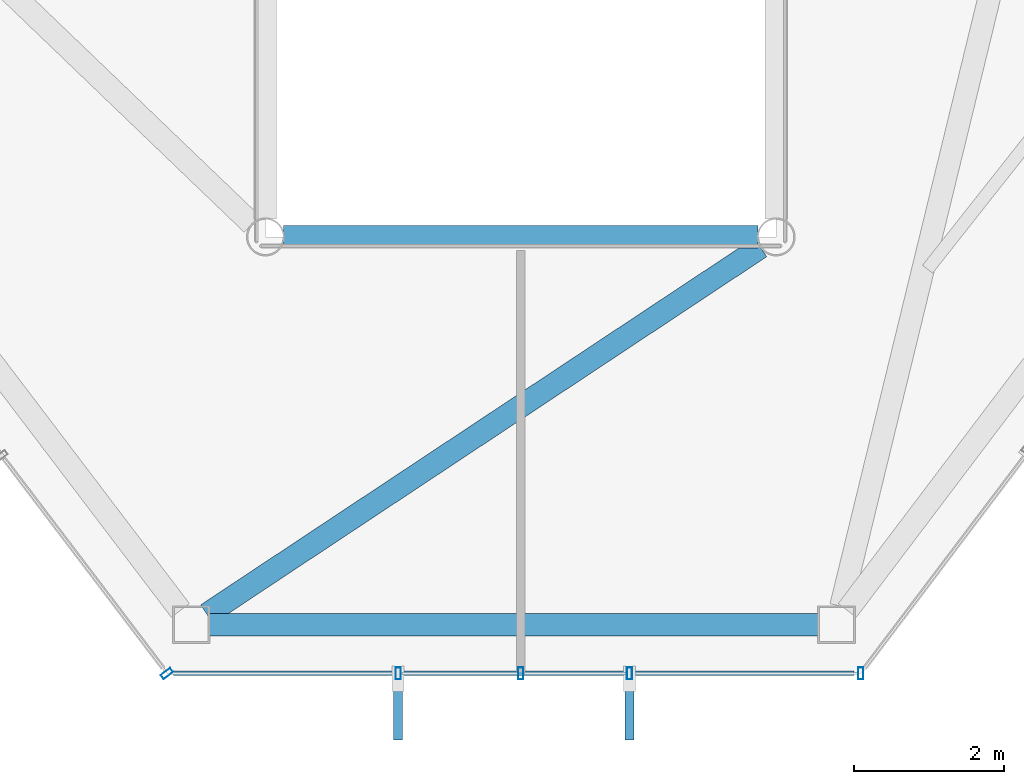
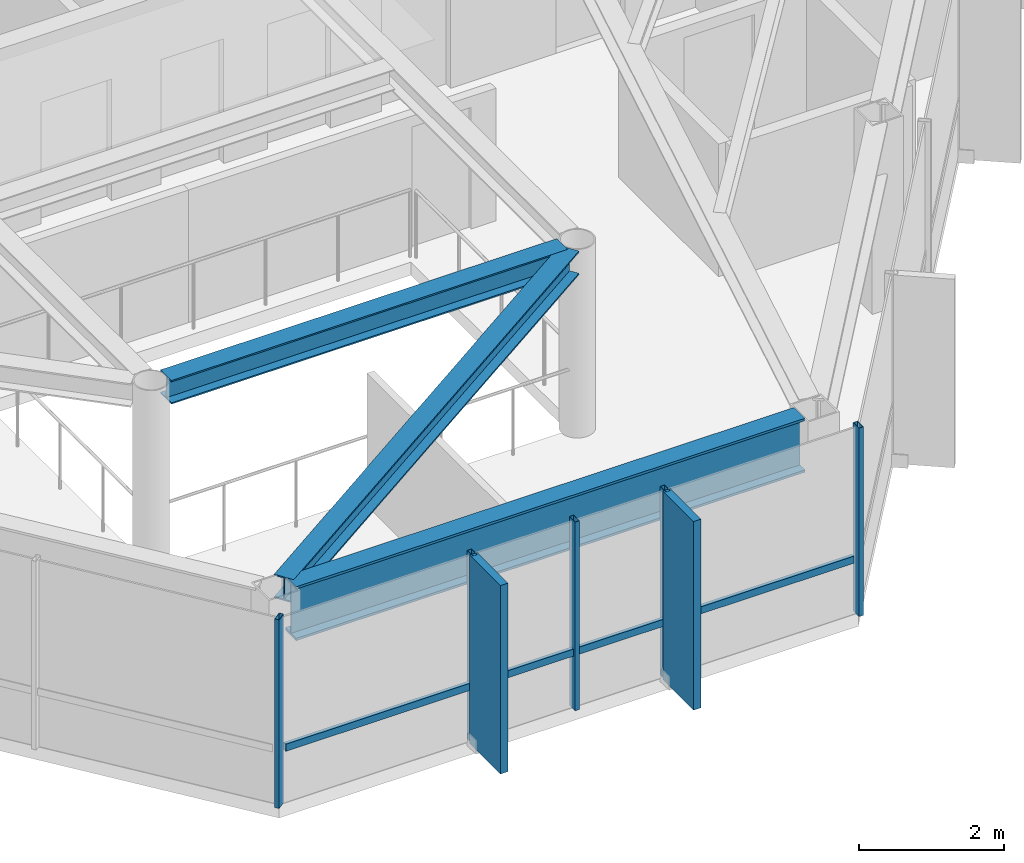
# One storey, part 5 of 24: 8 members, 3 beams, 2 elements without a shape of their own.
"""IFC4 building model written with IfcOpenShell, lengths in metres."""

from ifc_helpers import new_model, si_unit, direction, frame, origin, origin_2d, place, context, subcontext, project, spatial, rectangle, hollow_rectangle, i_section, extrude, material, layer, layer_set, material_profile, profile_set, type_object, element, aggregate, save


model = new_model("IFC4")

# Units and contexts
model_context = context("Model", 3, precision=1e-05, world=origin(), true_north=direction((0.0, 1.0)))
body_context = subcontext(model_context, "Body", "Model", "MODEL_VIEW")
ifc_project = project(units=[si_unit("LENGTHUNIT", "METRE"), si_unit("AREAUNIT", "SQUARE_METRE"), si_unit("VOLUMEUNIT", "CUBIC_METRE"), si_unit("PLANEANGLEUNIT", "RADIAN"), si_unit("MASSUNIT", "GRAM", prefix="KILO")], contexts=[model_context])

# Site, building, storey
site_placement = place(None, origin())
site = spatial("IfcSite", under=ifc_project, at=site_placement, CompositionType="ELEMENT")
building_placement = place(site_placement, origin())
building = spatial("IfcBuilding", under=site, at=building_placement, Name="Zarrinselat Tower", CompositionType="ELEMENT")
storey_placement = place(building_placement, frame((0.0, 0.0, 268.60009765625)))
storey = spatial("IfcBuildingStorey", under=building, at=storey_placement, Name="L68", CompositionType="ELEMENT", Elevation=268.60009765625)

# Beams
ifc_material_1 = material(Name="Steel S355J2", Category="steel")
ifc_material_profile_1 = material_profile(ifc_material_1, i_section(OverallWidth=0.300048828125, OverallDepth=0.39990234375, WebThickness=0.013427734375, FlangeThickness=0.02392578125, at=origin_2d()), Name="HEB 400")
ifc_profile_set_1 = profile_set([ifc_material_profile_1], Name="Steel S355J2")
beam_type_1 = type_object("IfcBeamType", Name="BM-HEB400", PredefinedType="BEAM", material=ifc_profile_set_1)
beam_1_placement = place(storey_placement, frame((35.239990234375, 25.199951171875, 2.97998046875), z_axis=(1.0, 0.0, 0.0), x_axis=(0.0, 1.0, 0.0)))
element("IfcBeam", 1, at=beam_1_placement, inside=storey, type_object=beam_type_1, Name="L68 Atrium Edge Beam S", PredefinedType="BEAM", context=body_context, shape_type="SweptSolid", body=[
    extrude(i_section(OverallWidth=0.300048828125, OverallDepth=0.39990234375, WebThickness=0.013427734375, FlangeThickness=0.02392578125, at=origin_2d()), origin(), (0.0, 0.0, 1.0), 6.320068359375),
])
beam_2_placement = place(storey_placement, frame((34.22119140625, 20.17724609375, 2.97998046875), z_axis=(0.833550978999, 0.552442544894, 0.0), x_axis=(-0.552442544894, 0.833550978999, 0.0)))
element("IfcBeam", 2, at=beam_2_placement, inside=storey, type_object=beam_type_1, Name="L68 Radial Primary Girder RG10", PredefinedType="BEAM", context=body_context, shape_type="SweptSolid", body=[
    extrude(i_section(OverallWidth=0.300048828125, OverallDepth=0.39990234375, WebThickness=0.013427734375, FlangeThickness=0.02392578125, at=origin_2d()), origin(), (0.0, 0.0, 1.0), 8.842041015625),
])
ifc_material_2 = material(Name="Steel S460M", Category="steel")
ifc_material_profile_2 = material_profile(ifc_material_2, i_section(OverallWidth=0.302001953125, OverallDepth=0.909912109375, WebThickness=0.02099609375, FlangeThickness=0.0400390625, at=origin_2d()), Name="HEM 900")
ifc_profile_set_2 = profile_set([ifc_material_profile_2], Name="Steel S460M")
beam_type_2 = type_object("IfcBeamType", Name="BM-HEM900", PredefinedType="BEAM", material=ifc_profile_set_2)
beam_3_placement = place(storey_placement, frame((34.2490234375, 20.0380859375, 2.724853515625), z_axis=(1.0, 0.0, 0.0), x_axis=(0.0, 1.0, 0.0)))
element("IfcBeam", 3, at=beam_3_placement, inside=storey, type_object=beam_type_2, Name="L68 Perimeter Spandrel Girder SP10", PredefinedType="BEAM", context=body_context, shape_type="SweptSolid", body=[
    extrude(i_section(OverallWidth=0.302001953125, OverallDepth=0.909912109375, WebThickness=0.02099609375, FlangeThickness=0.0400390625, at=origin_2d()), origin(), (0.0, 0.0, 1.0), 8.11669921875),
])

# Curtain wall, member
ifc_material_3 = material(Name="Extruded Aluminium Alloy EN AW-6063 T6", Category="aluminium")
ifc_layer = layer(ifc_material_3, 0.169921875)
ifc_layer_set = layer_set([ifc_layer], Name="Extruded Aluminium Alloy EN AW-6063 T6")
curtain_wall_type = type_object("IfcCurtainWallType", Name="CWS-RES", PredefinedType="NOTDEFINED", material=ifc_layer_set)
curtain_wall_1_placement = place(storey_placement, origin())
curtain_wall_1 = element("IfcCurtainWall", 4, at=curtain_wall_1_placement, inside=storey, type_object=curtain_wall_type, Name="L68 Unitised Curtain Wall CW-L68-E03", PredefinedType="NOTDEFINED")
ifc_material_4 = material(Name="Extruded Aluminium Alloy EN AW-6063 T6", Category="aluminium")
ifc_material_profile_3 = material_profile(ifc_material_4, hollow_rectangle(XDim=0.070068359375, YDim=0.159912109375, WallThickness=0.00390625, at=origin_2d()), Name="RHS 160x70x4")
ifc_profile_set_3 = profile_set([ifc_material_profile_3], Name="Extruded Aluminium Alloy EN AW-6063 T6")
member_type_1 = type_object("IfcMemberType", Name="MEM-CW-MUL2", PredefinedType="MULLION", material=ifc_profile_set_3)
member_1_placement = place(storey_placement, frame((33.6884765625, 19.387939453125, 0.0), z_axis=(0.0, 0.0, 1.0), x_axis=(0.604787567266, -0.796386839721, 0.0)))
member_1 = element("IfcMember", 5, at=member_1_placement, type_object=member_type_1, Name="CW-L68-E03 Mullion 11", PredefinedType="MULLION", context=body_context, shape_type="SweptSolid", body=[
    extrude(hollow_rectangle(XDim=0.070068359375, YDim=0.159912109375, WallThickness=0.00390625, at=origin_2d()), origin(), (0.0, 0.0, 1.0), 3.179931640625),
])
aggregate(curtain_wall_1, [member_1])

# Curtain wall, members
curtain_wall_2_placement = place(storey_placement, origin())
curtain_wall_2 = element("IfcCurtainWall", 6, at=curtain_wall_2_placement, inside=storey, type_object=curtain_wall_type, Name="L68 Unitised Curtain Wall CW-L68-E04", PredefinedType="NOTDEFINED")
member_2_placement = place(storey_placement, frame((36.76806640625, 19.387939453125, 0.0), z_axis=(0.0, 0.0, 1.0), x_axis=(1.0, 0.0, 0.0)))
member_2 = element("IfcMember", 7, at=member_2_placement, type_object=member_type_1, Name="CW-L68-E04 Mullion 1", PredefinedType="MULLION", context=body_context, shape_type="SweptSolid", body=[
    extrude(hollow_rectangle(XDim=0.070068359375, YDim=0.159912109375, WallThickness=0.00390625, at=origin_2d()), origin(), (0.0, 0.0, 1.0), 3.179931640625),
])
member_3_placement = place(storey_placement, frame((38.39990234375, 19.387939453125, 0.0), z_axis=(0.0, 0.0, 1.0), x_axis=(1.0, 0.0, 0.0)))
member_3 = element("IfcMember", 8, at=member_3_placement, type_object=member_type_1, Name="CW-L68-E04 Mullion 2", PredefinedType="MULLION", context=body_context, shape_type="SweptSolid", body=[
    extrude(hollow_rectangle(XDim=0.070068359375, YDim=0.159912109375, WallThickness=0.00390625, at=origin_2d()), origin(), (0.0, 0.0, 1.0), 3.179931640625),
])
member_4_placement = place(storey_placement, frame((39.84765625, 19.387939453125, 0.0), z_axis=(0.0, 0.0, 1.0), x_axis=(1.0, 0.0, 0.0)))
member_4 = element("IfcMember", 9, at=member_4_placement, type_object=member_type_1, Name="CW-L68-E04 Mullion 3", PredefinedType="MULLION", context=body_context, shape_type="SweptSolid", body=[
    extrude(hollow_rectangle(XDim=0.070068359375, YDim=0.159912109375, WallThickness=0.00390625, at=origin_2d()), origin(), (0.0, 0.0, 1.0), 3.179931640625),
])
member_5_placement = place(storey_placement, frame((42.927001953125, 19.387939453125, 0.0), z_axis=(0.0, 0.0, 1.0), x_axis=(1.0, 0.0, 0.0)))
member_5 = element("IfcMember", 10, at=member_5_placement, type_object=member_type_1, Name="CW-L68-E04 Mullion 4", PredefinedType="MULLION", context=body_context, shape_type="SweptSolid", body=[
    extrude(hollow_rectangle(XDim=0.070068359375, YDim=0.159912109375, WallThickness=0.00390625, at=origin_2d()), origin(), (0.0, 0.0, 1.0), 3.179931640625),
])
ifc_material_5 = material(Name="Extruded Aluminium Alloy EN AW-6063 T6", Category="aluminium")
ifc_material_profile_4 = material_profile(ifc_material_5, hollow_rectangle(XDim=0.06005859375, YDim=0.1201171875, WallThickness=0.00390625, at=origin_2d()), Name="RHS 120x60x4")
ifc_profile_set_4 = profile_set([ifc_material_profile_4], Name="Extruded Aluminium Alloy EN AW-6063 T6")
member_type_2 = type_object("IfcMemberType", Name="MEM-CW-TRN2", PredefinedType="USERDEFINED", material=ifc_profile_set_4)
member_6_placement = place(storey_placement, frame((33.778564453125, 19.387939453125, 0.949951171875), z_axis=(1.0, 0.0, 0.0), x_axis=(0.0, 1.0, 0.0)))
member_6 = element("IfcMember", 11, at=member_6_placement, type_object=member_type_2, Name="CW-L68-E04 Transom 1", ObjectType="TRANSOM", PredefinedType="USERDEFINED", context=body_context, shape_type="SweptSolid", body=[
    extrude(hollow_rectangle(XDim=0.06005859375, YDim=0.1201171875, WallThickness=0.00390625, at=origin_2d()), origin(), (0.0, 0.0, 1.0), 9.05859375),
])
ifc_material_6 = material(Name="Honed Cream Travertine Stone", Category="masonry")
ifc_material_profile_5 = material_profile(ifc_material_6, rectangle(XDim=0.1201171875, YDim=0.85009765625, at=origin_2d()), Name="FIN 850x120")
ifc_profile_set_5 = profile_set([ifc_material_profile_5], Name="Honed Cream Travertine Stone")
member_type_3 = type_object("IfcMemberType", Name="MEM-STONE-FIN", PredefinedType="USERDEFINED", material=ifc_profile_set_5)
member_7_placement = place(storey_placement, frame((36.76806640625, 18.927978515625, 0.0), z_axis=(0.0, 0.0, 1.0), x_axis=(-1.0, 0.0, 0.0)))
member_7 = element("IfcMember", 12, at=member_7_placement, type_object=member_type_3, Name="L68 Stone Shading Fin CW-L68-E04-01", ObjectType="FIN", PredefinedType="USERDEFINED", context=body_context, shape_type="SweptSolid", body=[
    extrude(rectangle(XDim=0.1201171875, YDim=0.85009765625, at=origin_2d()), origin(), (0.0, 0.0, 1.0), 3.179931640625),
])
member_8_placement = place(storey_placement, frame((39.84765625, 18.927978515625, 0.0), z_axis=(0.0, 0.0, 1.0), x_axis=(-1.0, 0.0, 0.0)))
member_8 = element("IfcMember", 13, at=member_8_placement, type_object=member_type_3, Name="L68 Stone Shading Fin CW-L68-E04-03", ObjectType="FIN", PredefinedType="USERDEFINED", context=body_context, shape_type="SweptSolid", body=[
    extrude(rectangle(XDim=0.1201171875, YDim=0.85009765625, at=origin_2d()), origin(), (0.0, 0.0, 1.0), 3.179931640625),
])
aggregate(curtain_wall_2, [member_2, member_7, member_3, member_4, member_8, member_5, member_6])

save(model, "model.ifc")
